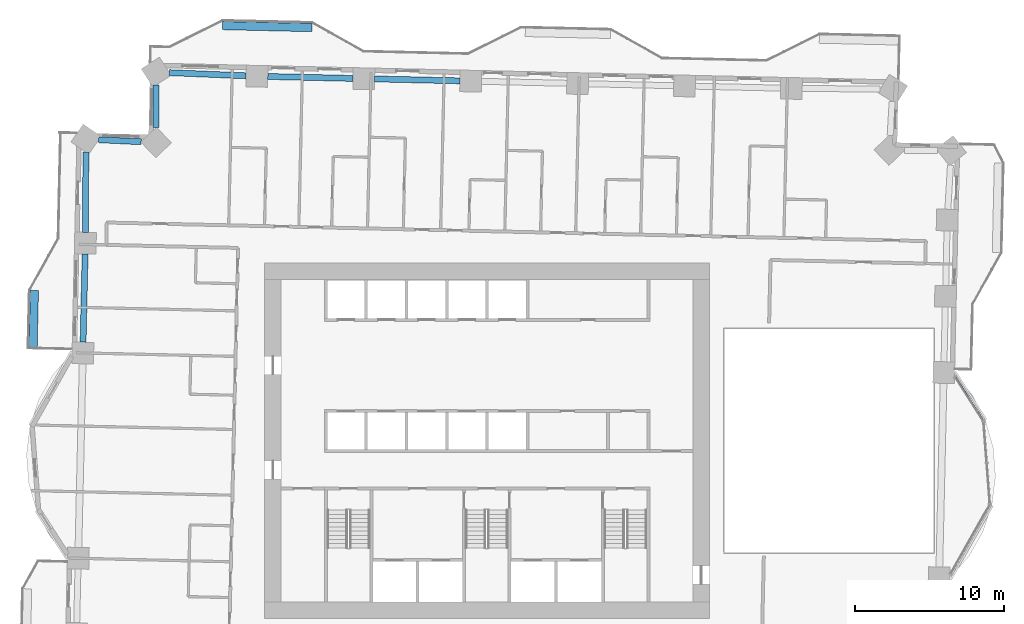
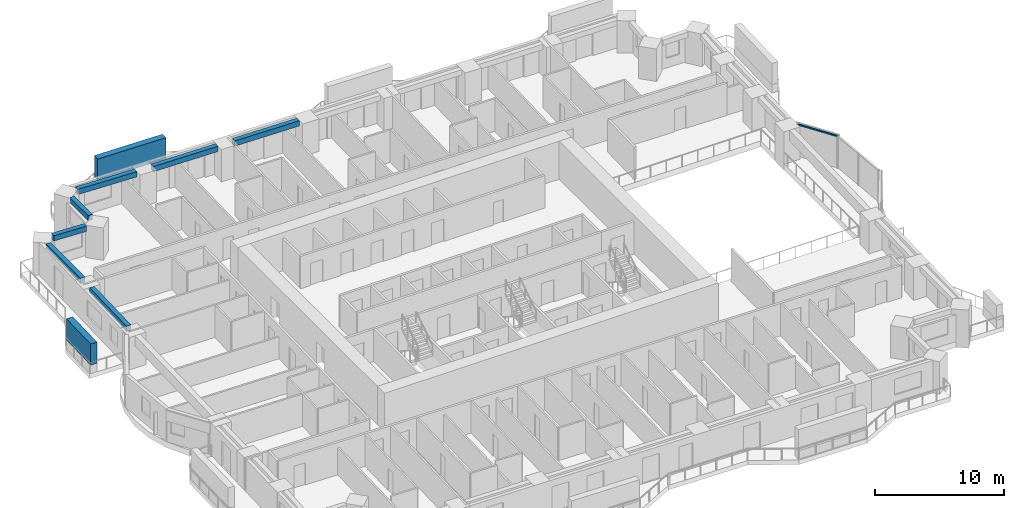
# One storey, part 3 of 18: 7 beams, 3 members, 1 element without a shape of its own.
"""IFC4 building model written with IfcOpenShell, lengths in metres."""

from ifc_helpers import new_model, si_unit, direction, frame, origin, origin_2d, place, context, subcontext, project, spatial, rectangle, extrude, material, material_profile, profile_set, type_object, element, aggregate, save


model = new_model("IFC4")

# Units and contexts
model_context = context("Model", 3, precision=1e-05, world=origin(), true_north=direction((0.0, 1.0)))
body_context = subcontext(model_context, "Body", "Model", "MODEL_VIEW")
ifc_project = project(units=[si_unit("LENGTHUNIT", "METRE"), si_unit("AREAUNIT", "SQUARE_METRE"), si_unit("VOLUMEUNIT", "CUBIC_METRE"), si_unit("PLANEANGLEUNIT", "RADIAN"), si_unit("MASSUNIT", "GRAM", prefix="KILO")], contexts=[model_context])

# Site, building, storey
site_placement = place(None, origin())
site = spatial("IfcSite", under=ifc_project, at=site_placement, CompositionType="ELEMENT")
building_placement = place(site_placement, origin())
building = spatial("IfcBuilding", under=site, at=building_placement, Name="Mangrove Gate Tower", CompositionType="ELEMENT")
storey_placement = place(building_placement, frame((0.0, 0.0, 71.10009765625)))
storey = spatial("IfcBuildingStorey", under=building, at=storey_placement, Name="L17", CompositionType="ELEMENT", Elevation=71.10009765625)

# Curtain wall, member
ifc_material_1 = material(Name="Aluminium and glass curtain wall", Category="aluminium")
curtain_wall_type = type_object("IfcCurtainWallType", Name="Atrium garden-court glazing wall", PredefinedType="NOTDEFINED", material=ifc_material_1)
curtain_wall_placement = place(storey_placement, origin())
curtain_wall = element("IfcCurtainWall", 1, at=curtain_wall_placement, inside=storey, type_object=curtain_wall_type, Name="Atrium garden-court glazing E1f3", PredefinedType="NOTDEFINED")
ifc_material_2 = material(Name="Aluminium alloy 6063-T6", Category="aluminium")
ifc_material_profile_1 = material_profile(ifc_material_2, rectangle(XDim=0.070068359375, YDim=0.14990234375, at=origin_2d()))
ifc_profile_set_1 = profile_set([ifc_material_profile_1], Name="Aluminium alloy 6063-T6")
member_type_1 = type_object("IfcMemberType", Name="Atrium garden-court glazing transom 70x150", PredefinedType="USERDEFINED", material=ifc_profile_set_1)
member_1_placement = place(storey_placement, frame((33.211669921875, 1.364013671875, 3.014892578125), z_axis=(-0.540523675836, 0.841328803656, 0.0), x_axis=(0.0, 0.0, 1.0)))
member_1 = element("IfcMember", 2, at=member_1_placement, type_object=member_type_1, Name="CWA transom 1.2", ObjectType="TRANSOM", PredefinedType="USERDEFINED", context=body_context, shape_type="SweptSolid", body=[
    extrude(rectangle(XDim=0.070068359375, YDim=0.14990234375, at=origin_2d()), origin(), (0.0, 0.0, 1.0), 3.42919921875),
])
aggregate(curtain_wall, [member_1])

# Members
ifc_material_3 = material(Name="Planting on aluminium trellis", Category="aluminium")
ifc_material_profile_2 = material_profile(ifc_material_3, rectangle(XDim=0.550048828125, YDim=2.0, at=origin_2d()))
ifc_profile_set_2 = profile_set([ifc_material_profile_2], Name="Planting on aluminium trellis")
member_type_2 = type_object("IfcMemberType", Name="Balcony greenery screen 550x2000", PredefinedType="USERDEFINED", material=ifc_profile_set_2)
member_2_placement = place(storey_placement, frame((-17.736083984375, 27.81103515625, 1.7998046875), z_axis=(0.999743094499, -0.022665943652, 0.0), x_axis=(0.022665943652, 0.999743094499, 0.0)))
element("IfcMember", 3, at=member_2_placement, inside=storey, type_object=member_type_2, Name="GREEN SCREEN L17 N1.1", ObjectType="PLANTING", PredefinedType="USERDEFINED", context=body_context, shape_type="SweptSolid", body=[
    extrude(rectangle(XDim=0.550048828125, YDim=2.0, at=origin_2d()), origin(), (0.0, 0.0, 1.0), 5.99951171875),
])
member_3_placement = place(storey_placement, frame((-30.4130859375, 6.2041015625, 1.7998046875), z_axis=(0.022745736617, 0.999741282265, 0.0), x_axis=(-0.999741282265, 0.022745736617, 0.0)))
element("IfcMember", 4, at=member_3_placement, inside=storey, type_object=member_type_2, Name="GREEN SCREEN L17 W0.1", ObjectType="PLANTING", PredefinedType="USERDEFINED", context=body_context, shape_type="SweptSolid", body=[
    extrude(rectangle(XDim=0.550048828125, YDim=2.0, at=origin_2d()), origin(), (0.0, 0.0, 1.0), 3.874755859375),
])

# Beams
ifc_material_4 = material(Name="Concrete C50/60", Category="concrete")
ifc_material_profile_3 = material_profile(ifc_material_4, rectangle(XDim=0.39990234375, YDim=0.5, at=origin_2d()))
ifc_profile_set_3 = profile_set([ifc_material_profile_3], Name="Concrete C50/60")
beam_type = type_object("IfcBeamType", Name="Edge beam RC 400x500 C50/60", PredefinedType="BEAM", material=ifc_profile_set_3)
beam_1_placement = place(storey_placement, frame((-1.822265625, 24.109619140625, 2.7998046875), z_axis=(-0.999744432359, 0.022606856661, 0.0), x_axis=(-0.022606856661, -0.999744432359, 0.0)))
element("IfcBeam", 5, at=beam_1_placement, inside=storey, type_object=beam_type, Name="Edge beam L17 26", PredefinedType="BEAM", context=body_context, shape_type="SweptSolid", body=[
    extrude(rectangle(XDim=0.39990234375, YDim=0.5, at=origin_2d()), origin(), (0.0, 0.0, 1.0), 5.712890625),
])
beam_2_placement = place(storey_placement, frame((-8.983154296875, 24.271728515625, 2.7998046875), z_axis=(-0.9997414382, 0.022738881792, 0.0), x_axis=(-0.022738881792, -0.9997414382, 0.0)))
element("IfcBeam", 6, at=beam_2_placement, inside=storey, type_object=beam_type, Name="Edge beam L17 27", PredefinedType="BEAM", context=body_context, shape_type="SweptSolid", body=[
    extrude(rectangle(XDim=0.39990234375, YDim=0.5, at=origin_2d()), origin(), (0.0, 0.0, 1.0), 5.7119140625),
])
beam_3_placement = place(storey_placement, frame((-16.14306640625, 24.44775390625, 2.7998046875), z_axis=(-0.999169077481, 0.040757264461, 0.0), x_axis=(-0.040757264461, -0.999169077481, 0.0)))
element("IfcBeam", 7, at=beam_3_placement, inside=storey, type_object=beam_type, Name="Edge beam L17 28", PredefinedType="BEAM", context=body_context, shape_type="SweptSolid", body=[
    extrude(rectangle(XDim=0.39990234375, YDim=0.5, at=origin_2d()), origin(), (0.0, 0.0, 1.0), 5.151611328125),
])
beam_4_placement = place(storey_placement, frame((-22.1728515625, 23.833984375, 2.7998046875), z_axis=(0.000514050652, -0.999999867876, 0.0), x_axis=(0.999999867876, 0.000514050652, 0.0)))
element("IfcBeam", 8, at=beam_4_placement, inside=storey, type_object=beam_type, Name="Edge beam L17 29", PredefinedType="BEAM", context=body_context, shape_type="SweptSolid", body=[
    extrude(rectangle(XDim=0.39990234375, YDim=0.5, at=origin_2d()), origin(), (0.0, 0.0, 1.0), 2.849609375),
])
beam_5_placement = place(storey_placement, frame((-23.170654296875, 20.029296875, 2.7998046875), z_axis=(-0.998867750526, 0.047573279878, 0.0), x_axis=(-0.047573279878, -0.998867750526, 0.0)))
element("IfcBeam", 9, at=beam_5_placement, inside=storey, type_object=beam_type, Name="Edge beam L17 30", PredefinedType="BEAM", context=body_context, shape_type="SweptSolid", body=[
    extrude(rectangle(XDim=0.39990234375, YDim=0.5, at=origin_2d()), origin(), (0.0, 0.0, 1.0), 2.853271484375),
])
beam_6_placement = place(storey_placement, frame((-26.876953125, 19.330078125, 2.7998046875), z_axis=(-0.005777620686, -0.99998330941, 0.0), x_axis=(0.99998330941, -0.005777620686, 0.0)))
element("IfcBeam", 10, at=beam_6_placement, inside=storey, type_object=beam_type, Name="Edge beam L17 31", PredefinedType="BEAM", context=body_context, shape_type="SweptSolid", body=[
    extrude(rectangle(XDim=0.39990234375, YDim=0.5, at=origin_2d()), origin(), (0.0, 0.0, 1.0), 5.366455078125),
])
beam_7_placement = place(storey_placement, frame((-26.9287109375, 12.513671875, 2.7998046875), z_axis=(-0.022667944244, -0.99974304914, 0.0), x_axis=(0.99974304914, -0.022667944244, 0.0)))
element("IfcBeam", 11, at=beam_7_placement, inside=storey, type_object=beam_type, Name="Edge beam L17 32", PredefinedType="BEAM", context=body_context, shape_type="SweptSolid", body=[
    extrude(rectangle(XDim=0.39990234375, YDim=0.5, at=origin_2d()), origin(), (0.0, 0.0, 1.0), 5.912841796875),
])

save(model, "model.ifc")
